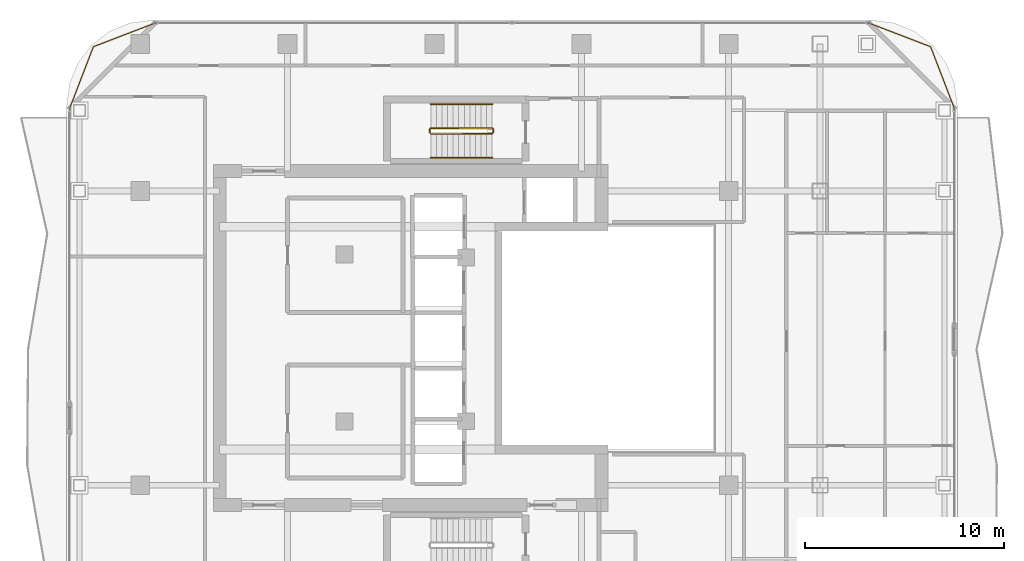
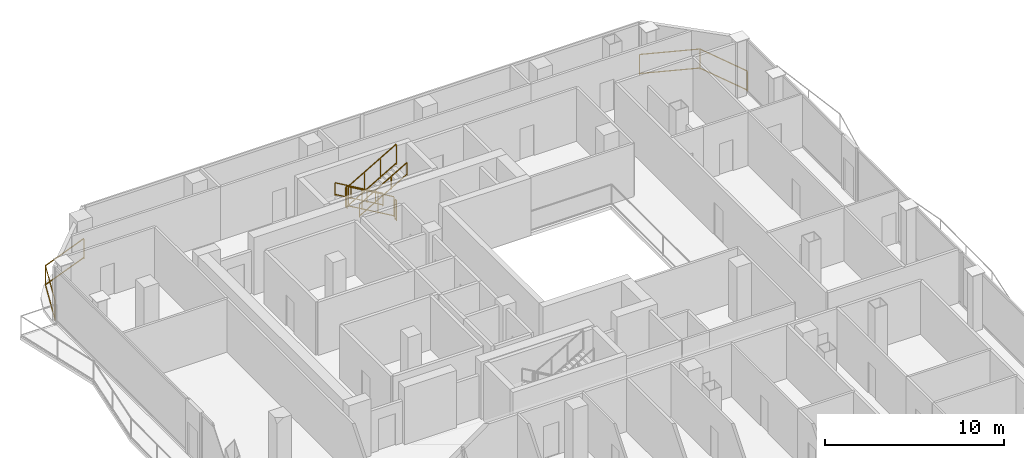
# One storey, part 26 of 26: 8 railings.
"""IFC4 building model written with IfcOpenShell, lengths in metres."""

from ifc_helpers import new_model, si_unit, direction, frame, origin, origin_2d, place, context, subcontext, project, spatial, rectangle, extrude, material, type_object, element, save


model = new_model("IFC4")

# Units and contexts
model_context = context("Model", 3, precision=1e-05, world=origin(), true_north=direction((0.0, 1.0)))
body_context = subcontext(model_context, "Body", "Model", "MODEL_VIEW")
ifc_project = project(units=[si_unit("LENGTHUNIT", "METRE"), si_unit("AREAUNIT", "SQUARE_METRE"), si_unit("VOLUMEUNIT", "CUBIC_METRE"), si_unit("PLANEANGLEUNIT", "RADIAN"), si_unit("MASSUNIT", "GRAM", prefix="KILO")], contexts=[model_context])

# Site, building, storey
site_placement = place(None, origin())
site = spatial("IfcSite", under=ifc_project, at=site_placement, CompositionType="ELEMENT")
building_placement = place(site_placement, origin())
building = spatial("IfcBuilding", under=site, at=building_placement, Name="Khorvyn Point Tower", CompositionType="ELEMENT")
storey_placement = place(building_placement, frame((0.0, 0.0, 250.800048828125)))
storey = spatial("IfcBuildingStorey", under=building, at=storey_placement, Name="L61", CompositionType="ELEMENT", Elevation=250.800048828125)

# Railings
ifc_material_1 = material(Name="Anodised aluminium 6063-T6 and laminated safety glass", Category="aluminium")
railing_type_1 = type_object("IfcRailingType", Name="Laminated Glass and Aluminium Balcony Guardrail 1400", PredefinedType="BALUSTRADE", material=ifc_material_1)
railing_1_placement = place(storey_placement, frame((-13.981201171875, 15.874267578125, 0.0)))
element("IfcRailing", 1, at=railing_1_placement, inside=storey, type_object=railing_type_1, Name="L61 Rounded Corner Edge Guardrail NW", PredefinedType="BALUSTRADE", context=body_context, shape_type="SweptSolid", body=[
    extrude(rectangle(XDim=0.048095703125, YDim=0.048095703125, at=origin_2d()), frame((0.0, 0.0, 1.3759765625), z_axis=(-0.933589651443, -0.358343916815, 0.0), x_axis=(0.358343916815, -0.933589651443, 0.0)), (0.0, 0.0, 1.0), 3.400390625),
    extrude(rectangle(XDim=0.048095703125, YDim=0.048095703125, at=origin_2d()), frame((0.0, 0.0, 0.080078125), z_axis=(-0.933589651443, -0.358343916815, 0.0), x_axis=(0.358343916815, -0.933589651443, 0.0)), (0.0, 0.0, 1.0), 3.400390625),
    extrude(rectangle(XDim=0.048095703125, YDim=0.048095703125, at=origin_2d()), frame((-3.174560546875, -1.218505859375, 1.3759765625), z_axis=(-0.358343916815, -0.933589651443, 0.0), x_axis=(0.933589651443, -0.358343916815, 0.0)), (0.0, 0.0, 1.0), 3.400390625),
    extrude(rectangle(XDim=0.048095703125, YDim=0.048095703125, at=origin_2d()), frame((-3.174560546875, -1.218505859375, 0.080078125), z_axis=(-0.358343916815, -0.933589651443, 0.0), x_axis=(0.933589651443, -0.358343916815, 0.0)), (0.0, 0.0, 1.0), 3.400390625),
    extrude(rectangle(XDim=0.0419921875, YDim=0.0419921875, at=origin_2d()), origin(), (0.0, 0.0, 1.0), 1.351806640625),
    extrude(rectangle(XDim=0.0419921875, YDim=0.0419921875, at=origin_2d()), frame((-3.174560546875, -1.218505859375, 0.0)), (0.0, 0.0, 1.0), 1.351806640625),
    extrude(rectangle(XDim=0.0419921875, YDim=0.0419921875, at=origin_2d()), frame((-4.39306640625, -4.39306640625, 0.0)), (0.0, 0.0, 1.0), 1.351806640625),
])
railing_2_placement = place(storey_placement, frame((26.17431640625, 11.481201171875, 0.0)))
element("IfcRailing", 2, at=railing_2_placement, inside=storey, type_object=railing_type_1, Name="L61 Rounded Corner Edge Guardrail NE", PredefinedType="BALUSTRADE", context=body_context, shape_type="SweptSolid", body=[
    extrude(rectangle(XDim=0.048095703125, YDim=0.048095703125, at=origin_2d()), frame((0.0, 0.0, 1.3759765625), z_axis=(-0.358343916815, 0.933589651443, 0.0), x_axis=(-0.933589651443, -0.358343916815, 0.0)), (0.0, 0.0, 1.0), 3.400390625),
    extrude(rectangle(XDim=0.048095703125, YDim=0.048095703125, at=origin_2d()), frame((0.0, 0.0, 0.080078125), z_axis=(-0.358343916815, 0.933589651443, 0.0), x_axis=(-0.933589651443, -0.358343916815, 0.0)), (0.0, 0.0, 1.0), 3.400390625),
    extrude(rectangle(XDim=0.048095703125, YDim=0.048095703125, at=origin_2d()), frame((-1.218505859375, 3.174560546875, 1.3759765625), z_axis=(-0.933589651443, 0.358343916815, 0.0), x_axis=(-0.358343916815, -0.933589651443, 0.0)), (0.0, 0.0, 1.0), 3.400390625),
    extrude(rectangle(XDim=0.048095703125, YDim=0.048095703125, at=origin_2d()), frame((-1.218505859375, 3.174560546875, 0.080078125), z_axis=(-0.933589651443, 0.358343916815, 0.0), x_axis=(-0.358343916815, -0.933589651443, 0.0)), (0.0, 0.0, 1.0), 3.400390625),
    extrude(rectangle(XDim=0.0419921875, YDim=0.0419921875, at=origin_2d()), origin(), (0.0, 0.0, 1.0), 1.351806640625),
    extrude(rectangle(XDim=0.0419921875, YDim=0.0419921875, at=origin_2d()), frame((-1.218505859375, 3.174560546875, 0.0)), (0.0, 0.0, 1.0), 1.351806640625),
    extrude(rectangle(XDim=0.0419921875, YDim=0.0419921875, at=origin_2d()), frame((-4.39306640625, 4.39306640625, 0.0)), (0.0, 0.0, 1.0), 1.351806640625),
])
ifc_material_2 = material(Name="Stainless steel 1.4301", Category="steel")
railing_type_2 = type_object("IfcRailingType", Name="Stainless Steel 304 Stair Pitch Handrail 900", PredefinedType="HANDRAIL", material=ifc_material_2)
railing_3_placement = place(storey_placement, frame((2.89990234375, 11.77001953125, 0.162353515625)))
element("IfcRailing", 3, at=railing_3_placement, inside=storey, type_object=railing_type_2, Name="L61 ST-02 stair handrail 1", PredefinedType="HANDRAIL", context=body_context, shape_type="SweptSolid", body=[
    extrude(rectangle(XDim=0.048095703125, YDim=0.048095703125, at=origin_2d()), frame((0.0, 0.0, 0.8759765625), z_axis=(-0.864873446163, 0.0, 0.501989962173), x_axis=(0.0, -1.0, 0.0)), (0.0, 0.0, 1.0), 3.56103515625),
    extrude(rectangle(XDim=0.048095703125, YDim=0.048095703125, at=origin_2d()), frame((0.0, 0.0, 0.080078125), z_axis=(-0.864873446163, 0.0, 0.501989962173), x_axis=(0.0, -1.0, 0.0)), (0.0, 0.0, 1.0), 3.56103515625),
    extrude(rectangle(XDim=0.0419921875, YDim=0.0419921875, at=origin_2d()), origin(), (0.0, 0.0, 1.0), 0.851806640625),
    extrude(rectangle(XDim=0.0419921875, YDim=0.0419921875, at=origin_2d()), frame((-1.026611328125, 0.0, 0.595947265625)), (0.0, 0.0, 1.0), 0.851806640625),
    extrude(rectangle(XDim=0.0419921875, YDim=0.0419921875, at=origin_2d()), frame((-2.05322265625, 0.0, 1.191650390625)), (0.0, 0.0, 1.0), 0.851806640625),
    extrude(rectangle(XDim=0.0419921875, YDim=0.0419921875, at=origin_2d()), frame((-3.079833984375, 0.0, 1.78759765625)), (0.0, 0.0, 1.0), 0.851806640625),
])
railing_4_placement = place(storey_placement, frame((-0.179931640625, 9.070068359375, 2.112548828125)))
element("IfcRailing", 4, at=railing_4_placement, inside=storey, type_object=railing_type_2, Name="L61 ST-02 stair handrail 2", PredefinedType="HANDRAIL", context=body_context, shape_type="SweptSolid", body=[
    extrude(rectangle(XDim=0.048095703125, YDim=0.048095703125, at=origin_2d()), frame((0.0, 0.0, 0.8759765625), z_axis=(0.864903211148, 0.0, 0.501938676878), x_axis=(0.0, 1.0, 0.0)), (0.0, 0.0, 1.0), 3.560791015625),
    extrude(rectangle(XDim=0.048095703125, YDim=0.048095703125, at=origin_2d()), frame((0.0, 0.0, 0.080078125), z_axis=(0.864903211148, 0.0, 0.501938676878), x_axis=(0.0, 1.0, 0.0)), (0.0, 0.0, 1.0), 3.560791015625),
    extrude(rectangle(XDim=0.0419921875, YDim=0.0419921875, at=origin_2d()), origin(), (0.0, 0.0, 1.0), 0.851806640625),
    extrude(rectangle(XDim=0.0419921875, YDim=0.0419921875, at=origin_2d()), frame((1.026611328125, 0.0, 0.595703125)), (0.0, 0.0, 1.0), 0.851806640625),
    extrude(rectangle(XDim=0.0419921875, YDim=0.0419921875, at=origin_2d()), frame((2.05322265625, 0.0, 1.191650390625)), (0.0, 0.0, 1.0), 0.851806640625),
    extrude(rectangle(XDim=0.0419921875, YDim=0.0419921875, at=origin_2d()), frame((3.079833984375, 0.0, 1.787353515625)), (0.0, 0.0, 1.0), 0.851806640625),
])
railing_type_3 = type_object("IfcRailingType", Name="Stainless Steel 304 Stair Well Guardrail 1400", PredefinedType="GUARDRAIL", material=ifc_material_2)
railing_5_placement = place(storey_placement, frame((2.89990234375, 10.550048828125, 0.162353515625)))
element("IfcRailing", 5, at=railing_5_placement, inside=storey, type_object=railing_type_3, Name="L61 ST-02 stair guard 1", PredefinedType="GUARDRAIL", context=body_context, shape_type="SweptSolid", body=[
    extrude(rectangle(XDim=0.048095703125, YDim=0.048095703125, at=origin_2d()), frame((0.0, 0.0, 1.3759765625), z_axis=(-0.864873446163, 0.0, 0.501989962173), x_axis=(0.0, -1.0, 0.0)), (0.0, 0.0, 1.0), 3.56103515625),
    extrude(rectangle(XDim=0.048095703125, YDim=0.048095703125, at=origin_2d()), frame((0.0, 0.0, 0.080078125), z_axis=(-0.864873446163, 0.0, 0.501989962173), x_axis=(0.0, -1.0, 0.0)), (0.0, 0.0, 1.0), 3.56103515625),
    extrude(rectangle(XDim=0.0419921875, YDim=0.0419921875, at=origin_2d()), origin(), (0.0, 0.0, 1.0), 1.351806640625),
    extrude(rectangle(XDim=0.0419921875, YDim=0.0419921875, at=origin_2d()), frame((-1.026611328125, 0.0, 0.595947265625)), (0.0, 0.0, 1.0), 1.351806640625),
    extrude(rectangle(XDim=0.0419921875, YDim=0.0419921875, at=origin_2d()), frame((-2.05322265625, 0.0, 1.191650390625)), (0.0, 0.0, 1.0), 1.351806640625),
    extrude(rectangle(XDim=0.0419921875, YDim=0.0419921875, at=origin_2d()), frame((-3.079833984375, 0.0, 1.78759765625)), (0.0, 0.0, 1.0), 1.351806640625),
])
railing_6_placement = place(storey_placement, frame((-0.22998046875, 10.5, 1.949951171875)))
element("IfcRailing", 6, at=railing_6_placement, inside=storey, type_object=railing_type_3, Name="L61 ST-02 stair guard 2", PredefinedType="GUARDRAIL", context=body_context, shape_type="SweptSolid", body=[
    extrude(rectangle(XDim=0.048095703125, YDim=0.048095703125, at=origin_2d()), frame((0.0, 0.0, 1.3759765625), z_axis=(0.0, -1.0, 0.0), x_axis=(1.0, 0.0, 0.0)), (0.0, 0.0, 1.0), 0.159912109375),
    extrude(rectangle(XDim=0.048095703125, YDim=0.048095703125, at=origin_2d()), frame((0.0, 0.0, 0.080078125), z_axis=(0.0, -1.0, 0.0), x_axis=(1.0, 0.0, 0.0)), (0.0, 0.0, 1.0), 0.159912109375),
    extrude(rectangle(XDim=0.0419921875, YDim=0.0419921875, at=origin_2d()), origin(), (0.0, 0.0, 1.0), 1.351806640625),
    extrude(rectangle(XDim=0.0419921875, YDim=0.0419921875, at=origin_2d()), frame((0.0, -0.159912109375, 0.0)), (0.0, 0.0, 1.0), 1.351806640625),
])
railing_7_placement = place(storey_placement, frame((-0.179931640625, 10.2900390625, 2.112548828125)))
element("IfcRailing", 7, at=railing_7_placement, inside=storey, type_object=railing_type_3, Name="L61 ST-02 stair guard 3", PredefinedType="GUARDRAIL", context=body_context, shape_type="SweptSolid", body=[
    extrude(rectangle(XDim=0.048095703125, YDim=0.048095703125, at=origin_2d()), frame((0.0, 0.0, 1.3759765625), z_axis=(0.864903211148, 0.0, 0.501938676878), x_axis=(0.0, 1.0, 0.0)), (0.0, 0.0, 1.0), 3.560791015625),
    extrude(rectangle(XDim=0.048095703125, YDim=0.048095703125, at=origin_2d()), frame((0.0, 0.0, 0.080078125), z_axis=(0.864903211148, 0.0, 0.501938676878), x_axis=(0.0, 1.0, 0.0)), (0.0, 0.0, 1.0), 3.560791015625),
    extrude(rectangle(XDim=0.0419921875, YDim=0.0419921875, at=origin_2d()), origin(), (0.0, 0.0, 1.0), 1.351806640625),
    extrude(rectangle(XDim=0.0419921875, YDim=0.0419921875, at=origin_2d()), frame((1.026611328125, 0.0, 0.595703125)), (0.0, 0.0, 1.0), 1.351806640625),
    extrude(rectangle(XDim=0.0419921875, YDim=0.0419921875, at=origin_2d()), frame((2.05322265625, 0.0, 1.191650390625)), (0.0, 0.0, 1.0), 1.351806640625),
    extrude(rectangle(XDim=0.0419921875, YDim=0.0419921875, at=origin_2d()), frame((3.079833984375, 0.0, 1.787353515625)), (0.0, 0.0, 1.0), 1.351806640625),
])
railing_8_placement = place(storey_placement, frame((2.949951171875, 10.5, 0.0)))
element("IfcRailing", 8, at=railing_8_placement, inside=storey, type_object=railing_type_3, Name="L61 ST-02 stair guard 4", PredefinedType="GUARDRAIL", context=body_context, shape_type="SweptSolid", body=[
    extrude(rectangle(XDim=0.048095703125, YDim=0.048095703125, at=origin_2d()), frame((0.0, 0.0, 1.3759765625), z_axis=(0.0, -1.0, 0.0), x_axis=(1.0, 0.0, 0.0)), (0.0, 0.0, 1.0), 0.159912109375),
    extrude(rectangle(XDim=0.048095703125, YDim=0.048095703125, at=origin_2d()), frame((0.0, 0.0, 0.080078125), z_axis=(0.0, -1.0, 0.0), x_axis=(1.0, 0.0, 0.0)), (0.0, 0.0, 1.0), 0.159912109375),
    extrude(rectangle(XDim=0.0419921875, YDim=0.0419921875, at=origin_2d()), origin(), (0.0, 0.0, 1.0), 1.351806640625),
    extrude(rectangle(XDim=0.0419921875, YDim=0.0419921875, at=origin_2d()), frame((0.0, -0.159912109375, 0.0)), (0.0, 0.0, 1.0), 1.351806640625),
])

save(model, "model.ifc")
